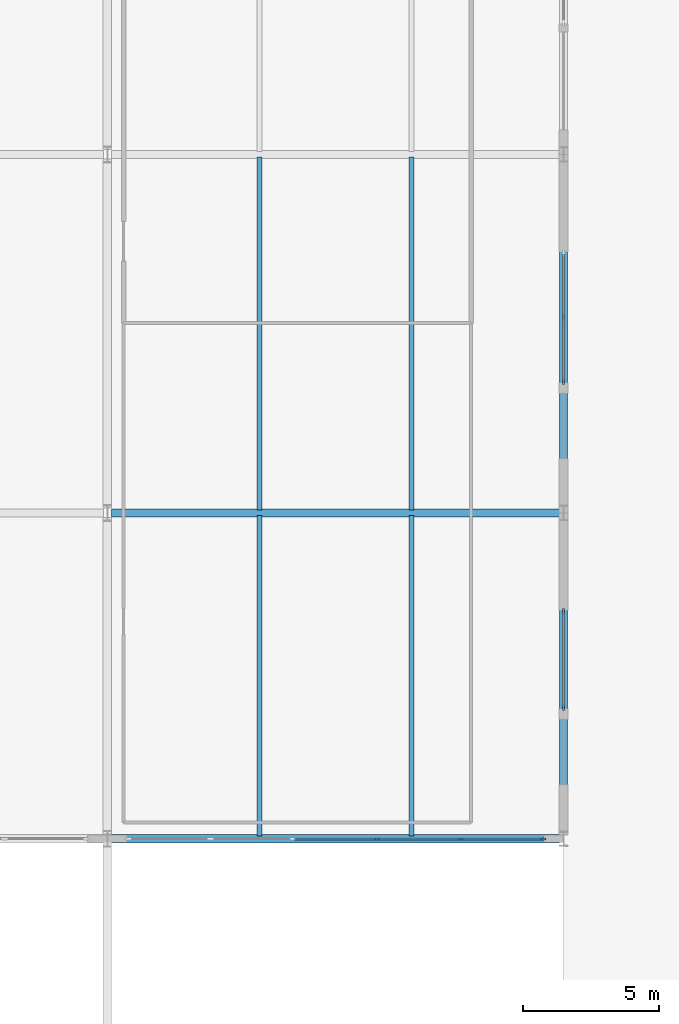
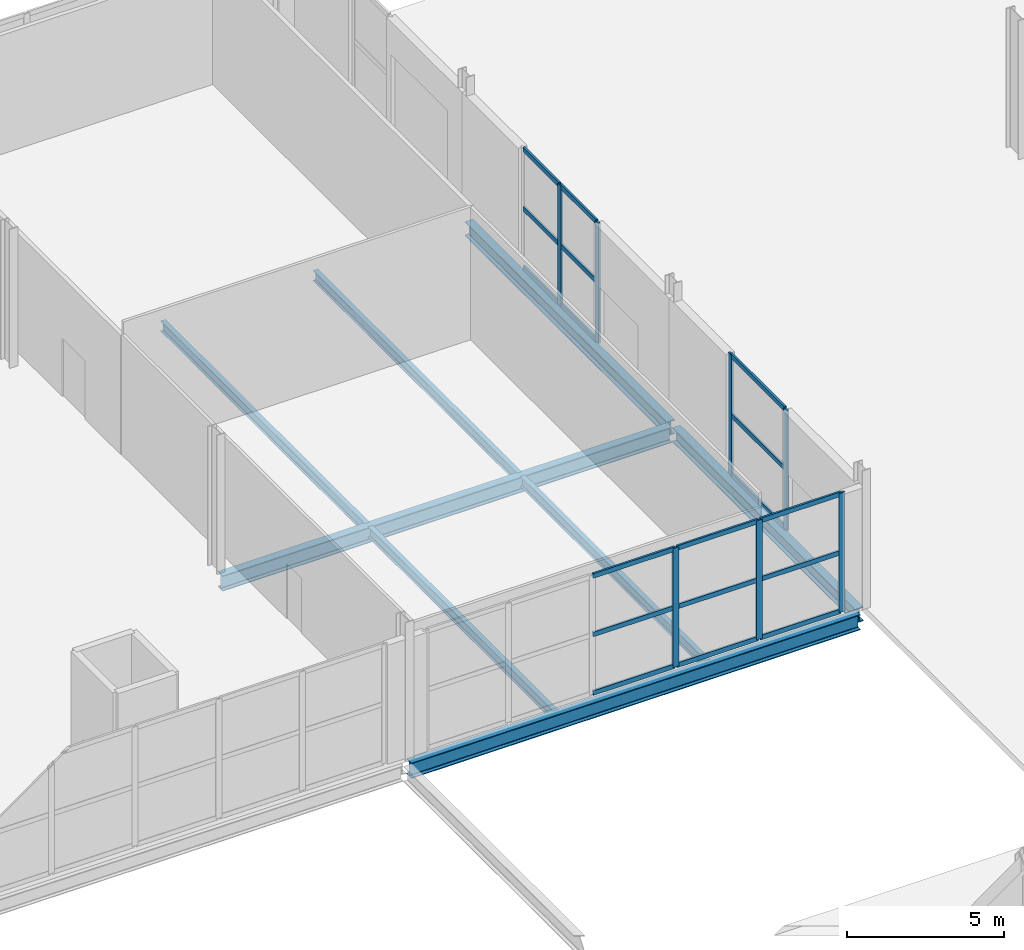
# One storey, part 46 of 87: 25 members, 8 beams, 3 elements without a shape of their own.
"""IFC4 building model written with IfcOpenShell, lengths in metres."""

from ifc_helpers import new_model, si_unit, direction, frame, origin, origin_2d, place, context, subcontext, project, spatial, rectangle, i_section, extrude, material, material_profile, profile_set, type_object, element, aggregate, save


model = new_model("IFC4")

# Units and contexts
model_context = context("Model", 3, precision=1e-05, world=origin(), true_north=direction((0.0, 1.0)))
body_context = subcontext(model_context, "Body", "Model", "MODEL_VIEW")
ifc_project = project(units=[si_unit("LENGTHUNIT", "METRE"), si_unit("AREAUNIT", "SQUARE_METRE"), si_unit("VOLUMEUNIT", "CUBIC_METRE"), si_unit("PLANEANGLEUNIT", "RADIAN"), si_unit("MASSUNIT", "GRAM", prefix="KILO")], contexts=[model_context])

# Site, building, storey
site_placement = place(None, origin())
site = spatial("IfcSite", under=ifc_project, at=site_placement, CompositionType="ELEMENT")
building_placement = place(site_placement, origin())
building = spatial("IfcBuilding", under=site, at=building_placement, Name="Kimbaza Rail Terminus", CompositionType="ELEMENT")
storey_placement = place(building_placement, origin())
storey = spatial("IfcBuildingStorey", under=building, at=storey_placement, Name="L00", CompositionType="ELEMENT", Elevation=0.0)

# Curtain wall, members
ifc_material_1 = material(Name="Anodised aluminium framing and solar low-E glazing", Category="aluminium")
curtain_wall_type = type_object("IfcCurtainWallType", Name="ARC-CW-TH1", PredefinedType="USERDEFINED", material=ifc_material_1)
curtain_wall_1_placement = place(storey_placement, origin())
curtain_wall_1 = element("IfcCurtainWall", 1, at=curtain_wall_1_placement, inside=storey, type_object=curtain_wall_type, Name="Ticket Hall Wing E Curtain Wall L00.2", ObjectType="UNITISED CURTAIN WALL", PredefinedType="USERDEFINED")
ifc_material_2 = material(Name="Anodised architectural aluminium", Category="aluminium")
ifc_material_profile_1 = material_profile(ifc_material_2, rectangle(XDim=0.074951171875, YDim=0.219970703125, at=origin_2d()), Name="MULLION 75x220")
ifc_profile_set_1 = profile_set([ifc_material_profile_1], Name="Anodised architectural aluminium")
member_type_1 = type_object("IfcMemberType", Name="ARC-CWM-01", PredefinedType="MULLION", material=ifc_profile_set_1)
member_1_placement = place(storey_placement, frame((182.736083984375, 55.0, 0.0), z_axis=(0.0, 0.0, 1.0), x_axis=(0.0, 1.0, 0.0)))
member_1 = element("IfcMember", 2, at=member_1_placement, type_object=member_type_1, Name="CW-01 mullion 4", PredefinedType="MULLION", context=body_context, shape_type="SweptSolid", body=[
    extrude(rectangle(XDim=0.074951171875, YDim=0.219970703125, at=origin_2d()), origin(), (0.0, 0.0, 1.0), 4.625),
])
member_2_placement = place(storey_placement, frame((185.80810546875, 55.0, 0.0), z_axis=(0.0, 0.0, 1.0), x_axis=(0.0, 1.0, 0.0)))
member_2 = element("IfcMember", 3, at=member_2_placement, type_object=member_type_1, Name="CW-01 mullion 5", PredefinedType="MULLION", context=body_context, shape_type="SweptSolid", body=[
    extrude(rectangle(XDim=0.074951171875, YDim=0.219970703125, at=origin_2d()), origin(), (0.0, 0.0, 1.0), 4.625),
])
member_3_placement = place(storey_placement, frame((188.842529296875, 55.0, 0.0), z_axis=(0.0, 0.0, 1.0), x_axis=(0.0, 1.0, 0.0)))
member_3 = element("IfcMember", 4, at=member_3_placement, type_object=member_type_1, Name="CW-01 mullion 6", PredefinedType="MULLION", context=body_context, shape_type="SweptSolid", body=[
    extrude(rectangle(XDim=0.074951171875, YDim=0.219970703125, at=origin_2d()), origin(), (0.0, 0.0, 1.0), 4.625),
])

curtain_wall_2_placement = place(storey_placement, origin())
curtain_wall_2 = element("IfcCurtainWall", 5, at=curtain_wall_2_placement, inside=storey, type_object=curtain_wall_type, Name="Ticket Hall E Glazing L00.1", ObjectType="UNITISED CURTAIN WALL", PredefinedType="USERDEFINED")
member_4_placement = place(storey_placement, frame((189.60009765625, 59.83740234375, 0.0), z_axis=(0.0, 0.0, 1.0), x_axis=(-1.0, 0.0, 0.0)))
member_4 = element("IfcMember", 6, at=member_4_placement, type_object=member_type_1, Name="CW-01 mullion 1", PredefinedType="MULLION", context=body_context, shape_type="SweptSolid", body=[
    extrude(rectangle(XDim=0.074951171875, YDim=0.219970703125, at=origin_2d()), origin(), (0.0, 0.0, 1.0), 4.675048828125),
])
member_5_placement = place(storey_placement, frame((189.60009765625, 63.362548828125, 0.0), z_axis=(0.0, 0.0, 1.0), x_axis=(-1.0, 0.0, 0.0)))
member_5 = element("IfcMember", 7, at=member_5_placement, type_object=member_type_1, Name="CW-01 mullion 2", PredefinedType="MULLION", context=body_context, shape_type="SweptSolid", body=[
    extrude(rectangle(XDim=0.074951171875, YDim=0.219970703125, at=origin_2d()), origin(), (0.0, 0.0, 1.0), 4.675048828125),
])

curtain_wall_3_placement = place(storey_placement, origin())
curtain_wall_3 = element("IfcCurtainWall", 8, at=curtain_wall_3_placement, inside=storey, type_object=curtain_wall_type, Name="Ticket Hall E Glazing L00.2", ObjectType="UNITISED CURTAIN WALL", PredefinedType="USERDEFINED")
member_6_placement = place(storey_placement, frame((189.60009765625, 71.83740234375, 0.0), z_axis=(0.0, 0.0, 1.0), x_axis=(-1.0, 0.0, 0.0)))
member_6 = element("IfcMember", 9, at=member_6_placement, type_object=member_type_1, Name="CW-01 mullion 1", PredefinedType="MULLION", context=body_context, shape_type="SweptSolid", body=[
    extrude(rectangle(XDim=0.074951171875, YDim=0.219970703125, at=origin_2d()), origin(), (0.0, 0.0, 1.0), 4.675048828125),
])
member_7_placement = place(storey_placement, frame((189.60009765625, 74.199951171875, 0.0), z_axis=(0.0, 0.0, 1.0), x_axis=(-1.0, 0.0, 0.0)))
member_7 = element("IfcMember", 10, at=member_7_placement, type_object=member_type_1, Name="CW-01 mullion 2", PredefinedType="MULLION", context=body_context, shape_type="SweptSolid", body=[
    extrude(rectangle(XDim=0.074951171875, YDim=0.219970703125, at=origin_2d()), origin(), (0.0, 0.0, 1.0), 4.675048828125),
])

# Member
ifc_material_3 = material(Name="Anodised architectural aluminium", Category="aluminium")
ifc_material_profile_2 = material_profile(ifc_material_3, rectangle(XDim=0.074951171875, YDim=0.179931640625, at=origin_2d()), Name="TRANSOM 75x180")
ifc_profile_set_2 = profile_set([ifc_material_profile_2], Name="Anodised architectural aluminium")
member_type_2 = type_object("IfcMemberType", Name="ARC-CWT-01", PredefinedType="USERDEFINED", material=ifc_profile_set_2)
member_8_placement = place(storey_placement, frame((179.701416015625, 55.0, 0.03759765625), z_axis=(1.0, 0.0, 0.0), x_axis=(0.0, 1.0, 0.0)))
member_8 = element("IfcMember", 11, at=member_8_placement, type_object=member_type_2, Name="CW-01 transom 3.1", ObjectType="TRANSOM", PredefinedType="USERDEFINED", context=body_context, shape_type="SweptSolid", body=[
    extrude(rectangle(XDim=0.074951171875, YDim=0.179931640625, at=origin_2d()), origin(), (0.0, 0.0, 1.0), 2.9970703125),
])

member_9_placement = place(storey_placement, frame((179.701416015625, 55.0, 2.3125), z_axis=(1.0, 0.0, 0.0), x_axis=(0.0, 1.0, 0.0)))
member_9 = element("IfcMember", 12, at=member_9_placement, type_object=member_type_2, Name="CW-01 transom 3.2", ObjectType="TRANSOM", PredefinedType="USERDEFINED", context=body_context, shape_type="SweptSolid", body=[
    extrude(rectangle(XDim=0.074951171875, YDim=0.179931640625, at=origin_2d()), origin(), (0.0, 0.0, 1.0), 2.9970703125),
])

member_10_placement = place(storey_placement, frame((179.701416015625, 55.0, 4.58740234375), z_axis=(1.0, 0.0, 0.0), x_axis=(0.0, 1.0, 0.0)))
member_10 = element("IfcMember", 13, at=member_10_placement, type_object=member_type_2, Name="CW-01 transom 3.3", ObjectType="TRANSOM", PredefinedType="USERDEFINED", context=body_context, shape_type="SweptSolid", body=[
    extrude(rectangle(XDim=0.074951171875, YDim=0.179931640625, at=origin_2d()), origin(), (0.0, 0.0, 1.0), 2.9970703125),
])

member_11_placement = place(storey_placement, frame((182.7734375, 55.0, 0.03759765625), z_axis=(1.0, 0.0, 0.0), x_axis=(0.0, 1.0, 0.0)))
member_11 = element("IfcMember", 14, at=member_11_placement, type_object=member_type_2, Name="CW-01 transom 4.1", ObjectType="TRANSOM", PredefinedType="USERDEFINED", context=body_context, shape_type="SweptSolid", body=[
    extrude(rectangle(XDim=0.074951171875, YDim=0.179931640625, at=origin_2d()), origin(), (0.0, 0.0, 1.0), 2.9970703125),
])

member_12_placement = place(storey_placement, frame((182.7734375, 55.0, 2.3125), z_axis=(1.0, 0.0, 0.0), x_axis=(0.0, 1.0, 0.0)))
member_12 = element("IfcMember", 15, at=member_12_placement, type_object=member_type_2, Name="CW-01 transom 4.2", ObjectType="TRANSOM", PredefinedType="USERDEFINED", context=body_context, shape_type="SweptSolid", body=[
    extrude(rectangle(XDim=0.074951171875, YDim=0.179931640625, at=origin_2d()), origin(), (0.0, 0.0, 1.0), 2.9970703125),
])

member_13_placement = place(storey_placement, frame((182.7734375, 55.0, 4.58740234375), z_axis=(1.0, 0.0, 0.0), x_axis=(0.0, 1.0, 0.0)))
member_13 = element("IfcMember", 16, at=member_13_placement, type_object=member_type_2, Name="CW-01 transom 4.3", ObjectType="TRANSOM", PredefinedType="USERDEFINED", context=body_context, shape_type="SweptSolid", body=[
    extrude(rectangle(XDim=0.074951171875, YDim=0.179931640625, at=origin_2d()), origin(), (0.0, 0.0, 1.0), 2.9970703125),
])

member_14_placement = place(storey_placement, frame((185.845458984375, 55.0, 0.03759765625), z_axis=(1.0, 0.0, 0.0), x_axis=(0.0, 1.0, 0.0)))
member_14 = element("IfcMember", 17, at=member_14_placement, type_object=member_type_2, Name="CW-01 transom 5.1", ObjectType="TRANSOM", PredefinedType="USERDEFINED", context=body_context, shape_type="SweptSolid", body=[
    extrude(rectangle(XDim=0.074951171875, YDim=0.179931640625, at=origin_2d()), origin(), (0.0, 0.0, 1.0), 2.95947265625),
])

member_15_placement = place(storey_placement, frame((185.845458984375, 55.0, 2.3125), z_axis=(1.0, 0.0, 0.0), x_axis=(0.0, 1.0, 0.0)))
member_15 = element("IfcMember", 18, at=member_15_placement, type_object=member_type_2, Name="CW-01 transom 5.2", ObjectType="TRANSOM", PredefinedType="USERDEFINED", context=body_context, shape_type="SweptSolid", body=[
    extrude(rectangle(XDim=0.074951171875, YDim=0.179931640625, at=origin_2d()), origin(), (0.0, 0.0, 1.0), 2.95947265625),
])

member_16_placement = place(storey_placement, frame((185.845458984375, 55.0, 4.58740234375), z_axis=(1.0, 0.0, 0.0), x_axis=(0.0, 1.0, 0.0)))
member_16 = element("IfcMember", 19, at=member_16_placement, type_object=member_type_2, Name="CW-01 transom 5.3", ObjectType="TRANSOM", PredefinedType="USERDEFINED", context=body_context, shape_type="SweptSolid", body=[
    extrude(rectangle(XDim=0.074951171875, YDim=0.179931640625, at=origin_2d()), origin(), (0.0, 0.0, 1.0), 2.95947265625),
])

aggregate(curtain_wall_1, [member_1, member_2, member_3, member_8, member_9, member_10, member_11, member_12, member_13, member_14, member_15, member_16])

member_17_placement = place(storey_placement, frame((189.60009765625, 59.875, 0.03759765625), z_axis=(0.0, 1.0, 0.0), x_axis=(-1.0, 0.0, 0.0)))
member_17 = element("IfcMember", 20, at=member_17_placement, type_object=member_type_2, Name="CW-01 transom 1.1", ObjectType="TRANSOM", PredefinedType="USERDEFINED", context=body_context, shape_type="SweptSolid", body=[
    extrude(rectangle(XDim=0.074951171875, YDim=0.179931640625, at=origin_2d()), origin(), (0.0, 0.0, 1.0), 3.449951171875),
])

member_18_placement = place(storey_placement, frame((189.60009765625, 59.875, 2.33740234375), z_axis=(0.0, 1.0, 0.0), x_axis=(-1.0, 0.0, 0.0)))
member_18 = element("IfcMember", 21, at=member_18_placement, type_object=member_type_2, Name="CW-01 transom 1.2", ObjectType="TRANSOM", PredefinedType="USERDEFINED", context=body_context, shape_type="SweptSolid", body=[
    extrude(rectangle(XDim=0.074951171875, YDim=0.179931640625, at=origin_2d()), origin(), (0.0, 0.0, 1.0), 3.449951171875),
])

member_19_placement = place(storey_placement, frame((189.60009765625, 59.875, 4.637451171875), z_axis=(0.0, 1.0, 0.0), x_axis=(-1.0, 0.0, 0.0)))
member_19 = element("IfcMember", 22, at=member_19_placement, type_object=member_type_2, Name="CW-01 transom 1.3", ObjectType="TRANSOM", PredefinedType="USERDEFINED", context=body_context, shape_type="SweptSolid", body=[
    extrude(rectangle(XDim=0.074951171875, YDim=0.179931640625, at=origin_2d()), origin(), (0.0, 0.0, 1.0), 3.449951171875),
])

aggregate(curtain_wall_2, [member_4, member_5, member_17, member_18, member_19])

member_20_placement = place(storey_placement, frame((189.60009765625, 71.875, 0.03759765625), z_axis=(0.0, 1.0, 0.0), x_axis=(-1.0, 0.0, 0.0)))
member_20 = element("IfcMember", 23, at=member_20_placement, type_object=member_type_2, Name="CW-01 transom 1.1", ObjectType="TRANSOM", PredefinedType="USERDEFINED", context=body_context, shape_type="SweptSolid", body=[
    extrude(rectangle(XDim=0.074951171875, YDim=0.179931640625, at=origin_2d()), origin(), (0.0, 0.0, 1.0), 2.28759765625),
])

member_21_placement = place(storey_placement, frame((189.60009765625, 71.875, 2.33740234375), z_axis=(0.0, 1.0, 0.0), x_axis=(-1.0, 0.0, 0.0)))
member_21 = element("IfcMember", 24, at=member_21_placement, type_object=member_type_2, Name="CW-01 transom 1.2", ObjectType="TRANSOM", PredefinedType="USERDEFINED", context=body_context, shape_type="SweptSolid", body=[
    extrude(rectangle(XDim=0.074951171875, YDim=0.179931640625, at=origin_2d()), origin(), (0.0, 0.0, 1.0), 2.28759765625),
])

member_22_placement = place(storey_placement, frame((189.60009765625, 71.875, 4.637451171875), z_axis=(0.0, 1.0, 0.0), x_axis=(-1.0, 0.0, 0.0)))
member_22 = element("IfcMember", 25, at=member_22_placement, type_object=member_type_2, Name="CW-01 transom 1.3", ObjectType="TRANSOM", PredefinedType="USERDEFINED", context=body_context, shape_type="SweptSolid", body=[
    extrude(rectangle(XDim=0.074951171875, YDim=0.179931640625, at=origin_2d()), origin(), (0.0, 0.0, 1.0), 2.28759765625),
])

member_23_placement = place(storey_placement, frame((189.60009765625, 74.237548828125, 0.03759765625), z_axis=(0.0, 1.0, 0.0), x_axis=(-1.0, 0.0, 0.0)))
member_23 = element("IfcMember", 26, at=member_23_placement, type_object=member_type_2, Name="CW-01 transom 2.1", ObjectType="TRANSOM", PredefinedType="USERDEFINED", context=body_context, shape_type="SweptSolid", body=[
    extrude(rectangle(XDim=0.074951171875, YDim=0.179931640625, at=origin_2d()), origin(), (0.0, 0.0, 1.0), 2.287353515625),
])

member_24_placement = place(storey_placement, frame((189.60009765625, 74.237548828125, 2.33740234375), z_axis=(0.0, 1.0, 0.0), x_axis=(-1.0, 0.0, 0.0)))
member_24 = element("IfcMember", 27, at=member_24_placement, type_object=member_type_2, Name="CW-01 transom 2.2", ObjectType="TRANSOM", PredefinedType="USERDEFINED", context=body_context, shape_type="SweptSolid", body=[
    extrude(rectangle(XDim=0.074951171875, YDim=0.179931640625, at=origin_2d()), origin(), (0.0, 0.0, 1.0), 2.287353515625),
])

member_25_placement = place(storey_placement, frame((189.60009765625, 74.237548828125, 4.637451171875), z_axis=(0.0, 1.0, 0.0), x_axis=(-1.0, 0.0, 0.0)))
member_25 = element("IfcMember", 28, at=member_25_placement, type_object=member_type_2, Name="CW-01 transom 2.3", ObjectType="TRANSOM", PredefinedType="USERDEFINED", context=body_context, shape_type="SweptSolid", body=[
    extrude(rectangle(XDim=0.074951171875, YDim=0.179931640625, at=origin_2d()), origin(), (0.0, 0.0, 1.0), 2.287353515625),
])

aggregate(curtain_wall_3, [member_6, member_7, member_20, member_21, member_22, member_23, member_24, member_25])

# Beams
ifc_material_4 = material(Name="Steel S355", Category="steel")
ifc_material_profile_3 = material_profile(ifc_material_4, i_section(OverallWidth=0.300048828125, OverallDepth=0.550048828125, WebThickness=0.014892578125, FlangeThickness=0.029052734375, FilletRadius=0.027099609375, at=origin_2d()), Name="HEB 550")
ifc_profile_set_3 = profile_set([ifc_material_profile_3], Name="Steel S355")
beam_type_1 = type_object("IfcBeamType", Name="STR-BM-HEB550", PredefinedType="BEAM", material=ifc_profile_set_3)
beam_1_placement = place(storey_placement, frame((189.60009765625, 55.175048828125, -0.52490234375), z_axis=(0.0, 1.0, 0.0), x_axis=(-1.0, 0.0, 0.0)))
element("IfcBeam", 29, at=beam_1_placement, inside=storey, type_object=beam_type_1, Name="Beam BM-V2WY-L00-1-55", PredefinedType="BEAM", context=body_context, shape_type="SweptSolid", body=[
    extrude(i_section(OverallWidth=0.300048828125, OverallDepth=0.550048828125, WebThickness=0.014892578125, FlangeThickness=0.029052734375, FilletRadius=0.027099609375, at=origin_2d()), origin(), (0.0, 0.0, 1.0), 11.64990234375),
])
beam_2_placement = place(storey_placement, frame((189.60009765625, 67.175048828125, -0.52490234375), z_axis=(0.0, 1.0, 0.0), x_axis=(-1.0, 0.0, 0.0)))
element("IfcBeam", 30, at=beam_2_placement, inside=storey, type_object=beam_type_1, Name="Beam BM-V2WY-L00-1-67", PredefinedType="BEAM", context=body_context, shape_type="SweptSolid", body=[
    extrude(i_section(OverallWidth=0.300048828125, OverallDepth=0.550048828125, WebThickness=0.014892578125, FlangeThickness=0.029052734375, FilletRadius=0.027099609375, at=origin_2d()), origin(), (0.0, 0.0, 1.0), 12.849853515625),
])
ifc_material_5 = material(Name="Steel S355", Category="steel")
ifc_material_profile_4 = material_profile(ifc_material_5, i_section(OverallWidth=0.300048828125, OverallDepth=0.60009765625, WebThickness=0.015380859375, FlangeThickness=0.030029296875, FilletRadius=0.027099609375, at=origin_2d()), Name="HEB 600")
ifc_profile_set_4 = profile_set([ifc_material_profile_4], Name="Steel S355")
beam_type_2 = type_object("IfcBeamType", Name="STR-BM-HEB600", PredefinedType="BEAM", material=ifc_profile_set_4)
for number, where, z_axis, x_axis, name in (
    (31, (172.946044921875, 55.0, -0.550048828125), (1.0, 0.0, 0.0), (0.0, 1.0, 0.0), "Beam BM-V2X-L00-3-8"),
    (32, (172.946044921875, 67.0, -0.550048828125), (1.0, 0.0, 0.0), (0.0, 1.0, 0.0), "Beam BM-V2X-L00-4-8"),
):
    element("IfcBeam", number, at=place(storey_placement, frame(where, z_axis=z_axis, x_axis=x_axis)), inside=storey, type_object=beam_type_2, Name=name, PredefinedType="BEAM", context=body_context, shape_type="SweptSolid", body=[
        extrude(i_section(OverallWidth=0.300048828125, OverallDepth=0.60009765625, WebThickness=0.015380859375, FlangeThickness=0.030029296875, FilletRadius=0.027099609375, at=origin_2d()), origin(), (0.0, 0.0, 1.0), 16.508056640625),
    ])
ifc_material_6 = material(Name="Steel S355", Category="steel")
ifc_material_profile_5 = material_profile(ifc_material_6, i_section(OverallWidth=0.179931640625, OverallDepth=0.39990234375, WebThickness=0.008544921875, FlangeThickness=0.013427734375, FilletRadius=0.02099609375, at=origin_2d()), Name="IPE 400")
ifc_profile_set_5 = profile_set([ifc_material_profile_5], Name="Steel S355")
beam_type_3 = type_object("IfcBeamType", Name="STR-BM-IPE400", PredefinedType="JOIST", material=ifc_profile_set_5)
beam_3_placement = place(storey_placement, frame((178.39990234375, 55.10009765625, -0.449951171875), z_axis=(0.0, 1.0, 0.0), x_axis=(-1.0, 0.0, 0.0)))
element("IfcBeam", 33, at=beam_3_placement, inside=storey, type_object=beam_type_3, Name="Beam JST-V2-L00-8-1-55", PredefinedType="JOIST", context=body_context, shape_type="SweptSolid", body=[
    extrude(i_section(OverallWidth=0.179931640625, OverallDepth=0.39990234375, WebThickness=0.008544921875, FlangeThickness=0.013427734375, FilletRadius=0.02099609375, at=origin_2d()), origin(), (0.0, 0.0, 1.0), 11.7998046875),
])
beam_4_placement = place(storey_placement, frame((178.39990234375, 67.10009765625, -0.449951171875), z_axis=(0.0, 1.0, 0.0), x_axis=(-1.0, 0.0, 0.0)))
element("IfcBeam", 34, at=beam_4_placement, inside=storey, type_object=beam_type_3, Name="Beam JST-V2-L00-8-1-67", PredefinedType="JOIST", context=body_context, shape_type="SweptSolid", body=[
    extrude(i_section(OverallWidth=0.179931640625, OverallDepth=0.39990234375, WebThickness=0.008544921875, FlangeThickness=0.013427734375, FilletRadius=0.02099609375, at=origin_2d()), origin(), (0.0, 0.0, 1.0), 13.0),
])
beam_5_placement = place(storey_placement, frame((184.0, 55.10009765625, -0.449951171875), z_axis=(0.0, 1.0, 0.0), x_axis=(-1.0, 0.0, 0.0)))
element("IfcBeam", 35, at=beam_5_placement, inside=storey, type_object=beam_type_3, Name="Beam JST-V2-L00-8-2-55", PredefinedType="JOIST", context=body_context, shape_type="SweptSolid", body=[
    extrude(i_section(OverallWidth=0.179931640625, OverallDepth=0.39990234375, WebThickness=0.008544921875, FlangeThickness=0.013427734375, FilletRadius=0.02099609375, at=origin_2d()), origin(), (0.0, 0.0, 1.0), 11.7998046875),
])
beam_6_placement = place(storey_placement, frame((184.0, 67.10009765625, -0.449951171875), z_axis=(0.0, 1.0, 0.0), x_axis=(-1.0, 0.0, 0.0)))
element("IfcBeam", 36, at=beam_6_placement, inside=storey, type_object=beam_type_3, Name="Beam JST-V2-L00-8-2-67", PredefinedType="JOIST", context=body_context, shape_type="SweptSolid", body=[
    extrude(i_section(OverallWidth=0.179931640625, OverallDepth=0.39990234375, WebThickness=0.008544921875, FlangeThickness=0.013427734375, FilletRadius=0.02099609375, at=origin_2d()), origin(), (0.0, 0.0, 1.0), 13.0),
])

save(model, "model.ifc")
